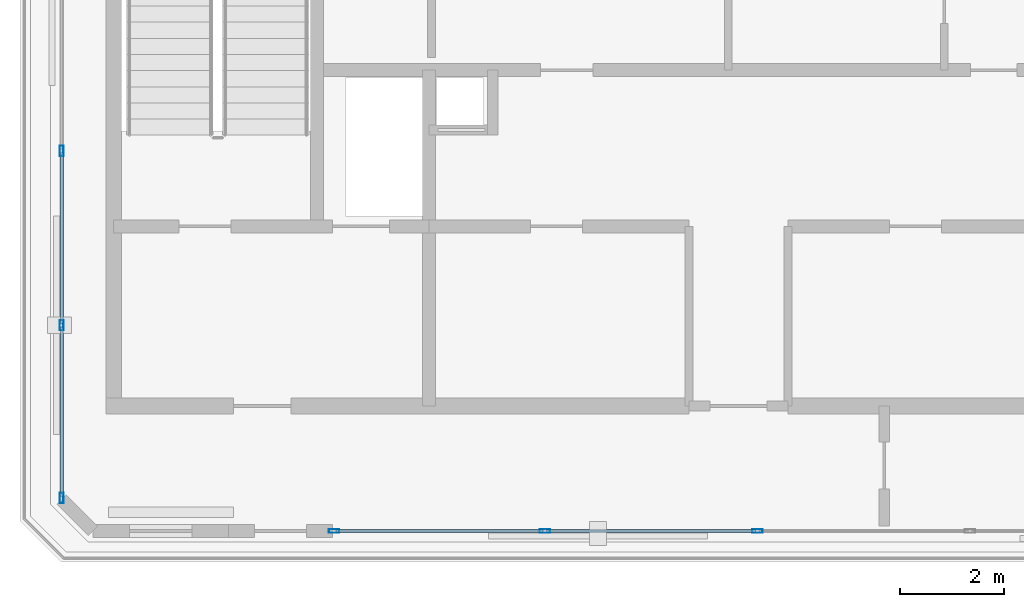
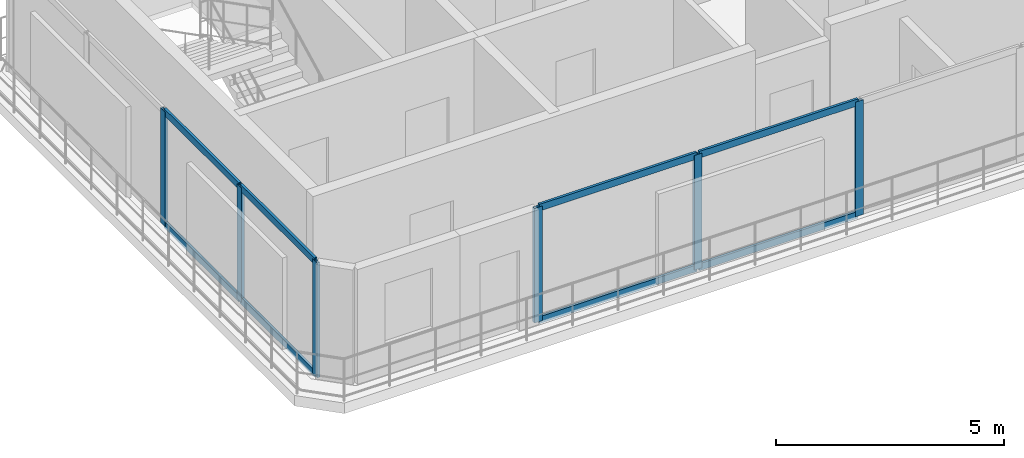
# One storey, part 1 of 7: 14 members, 2 elements without a shape of their own.
"""IFC4 building model written with IfcOpenShell, lengths in metres."""

from ifc_helpers import new_model, si_unit, direction, frame, origin, origin_2d, place, context, subcontext, project, spatial, hollow_rectangle, extrude, material, layer, layer_set, material_profile, profile_set, type_object, element, aggregate, save


model = new_model("IFC4")

# Units and contexts
model_context = context("Model", 3, precision=1e-05, world=origin(), true_north=direction((0.0, 1.0)))
body_context = subcontext(model_context, "Body", "Model", "MODEL_VIEW")
ifc_project = project(units=[si_unit("LENGTHUNIT", "METRE"), si_unit("AREAUNIT", "SQUARE_METRE"), si_unit("VOLUMEUNIT", "CUBIC_METRE"), si_unit("PLANEANGLEUNIT", "RADIAN"), si_unit("MASSUNIT", "GRAM", prefix="KILO")], contexts=[model_context])

# Site, building, storey
site_placement = place(None, origin())
site = spatial("IfcSite", under=ifc_project, at=site_placement, CompositionType="ELEMENT")
building_placement = place(site_placement, origin())
building = spatial("IfcBuilding", under=site, at=building_placement, Name="Catumbela Crestline Tower", CompositionType="ELEMENT")
storey_placement = place(building_placement, frame((0.0, 0.0, 315.0)))
storey = spatial("IfcBuildingStorey", under=building, at=storey_placement, Name="L81", CompositionType="ELEMENT", Elevation=315.0)

# Curtain wall, members
ifc_material = material(Name="Aluminium alloy AW-6060-T66", Category="aluminium")
ifc_layer = layer(ifc_material, 0.18, Name="Aluminium alloy AW-6060-T66")
ifc_layer_set = layer_set([ifc_layer], Name="Aluminium alloy AW-6060-T66")
curtain_wall_type = type_object("IfcCurtainWallType", Name="CWS-OBS", PredefinedType="USERDEFINED", material=ifc_layer_set)
curtain_wall_1_placement = place(storey_placement, origin())
curtain_wall_1 = element("IfcCurtainWall", 1, at=curtain_wall_1_placement, inside=storey, type_object=curtain_wall_type, Name="L81 Stick Curtain Wall CW-L81-E0S2", ObjectType="STICK", PredefinedType="USERDEFINED")
ifc_material_profile_1 = material_profile(ifc_material, hollow_rectangle(XDim=0.075, YDim=0.2, WallThickness=0.005, at=origin_2d()), Name="ALU 200x75x5")
ifc_profile_set_1 = profile_set([ifc_material_profile_1], Name="Aluminium alloy AW-6060-T66")
member_type_1 = type_object("IfcMemberType", Name="MUL-200X75", PredefinedType="MULLION", material=ifc_profile_set_1)
member_1_placement = place(storey_placement, frame((20.2325, 28.4, 0.0), z_axis=(0.0, 0.0, 1.0), x_axis=(0.0, 1.0, 0.0)))
member_1 = element("IfcMember", 2, at=member_1_placement, type_object=member_type_1, Name="CWS-OBS mullion 1", PredefinedType="MULLION", context=body_context, shape_type="SweptSolid", body=[
    extrude(hollow_rectangle(XDim=0.075, YDim=0.2, WallThickness=0.005, at=origin_2d()), origin(), (0.0, 0.0, 1.0), 3.07),
])
member_2_placement = place(storey_placement, frame((24.28, 28.4, 0.0), z_axis=(0.0, 0.0, 1.0), x_axis=(0.0, 1.0, 0.0)))
member_2 = element("IfcMember", 3, at=member_2_placement, type_object=member_type_1, Name="CWS-OBS mullion 2", PredefinedType="MULLION", context=body_context, shape_type="SweptSolid", body=[
    extrude(hollow_rectangle(XDim=0.075, YDim=0.2, WallThickness=0.005, at=origin_2d()), origin(), (0.0, 0.0, 1.0), 3.07),
])
member_3_placement = place(storey_placement, frame((28.36, 28.4, 0.0), z_axis=(0.0, 0.0, 1.0), x_axis=(0.0, 1.0, 0.0)))
member_3 = element("IfcMember", 4, at=member_3_placement, type_object=member_type_1, Name="CWS-OBS mullion 3", PredefinedType="MULLION", context=body_context, shape_type="SweptSolid", body=[
    extrude(hollow_rectangle(XDim=0.075, YDim=0.2, WallThickness=0.005, at=origin_2d()), origin(), (0.0, 0.0, 1.0), 3.07),
])

curtain_wall_2_placement = place(storey_placement, origin())
curtain_wall_2 = element("IfcCurtainWall", 5, at=curtain_wall_2_placement, inside=storey, type_object=curtain_wall_type, Name="L81 Stick Curtain Wall CW-L81-E6S1", ObjectType="STICK", PredefinedType="USERDEFINED")
member_4_placement = place(storey_placement, frame((15.0, 35.7, 0.0), z_axis=(0.0, 0.0, 1.0), x_axis=(1.0, 0.0, 0.0)))
member_4 = element("IfcMember", 6, at=member_4_placement, type_object=member_type_1, Name="CWS-OBS mullion 3", PredefinedType="MULLION", context=body_context, shape_type="SweptSolid", body=[
    extrude(hollow_rectangle(XDim=0.075, YDim=0.2, WallThickness=0.005, at=origin_2d()), origin(), (0.0, 0.0, 1.0), 3.07),
])
member_5_placement = place(storey_placement, frame((15.0, 32.35, 0.0), z_axis=(0.0, 0.0, 1.0), x_axis=(1.0, 0.0, 0.0)))
member_5 = element("IfcMember", 7, at=member_5_placement, type_object=member_type_1, Name="CWS-OBS mullion 4", PredefinedType="MULLION", context=body_context, shape_type="SweptSolid", body=[
    extrude(hollow_rectangle(XDim=0.075, YDim=0.2, WallThickness=0.005, at=origin_2d()), origin(), (0.0, 0.0, 1.0), 3.07),
])
member_6_placement = place(storey_placement, frame((15.0, 29.0325, 0.0), z_axis=(0.0, 0.0, 1.0), x_axis=(1.0, 0.0, 0.0)))
member_6 = element("IfcMember", 8, at=member_6_placement, type_object=member_type_1, Name="CWS-OBS mullion 5", PredefinedType="MULLION", context=body_context, shape_type="SweptSolid", body=[
    extrude(hollow_rectangle(XDim=0.075, YDim=0.2, WallThickness=0.005, at=origin_2d()), origin(), (0.0, 0.0, 1.0), 3.07),
])

# Member
ifc_material_profile_2 = material_profile(ifc_material, hollow_rectangle(XDim=0.065, YDim=0.18, WallThickness=0.004, at=origin_2d()), Name="ALU 180x65x4")
ifc_profile_set_2 = profile_set([ifc_material_profile_2], Name="Aluminium alloy AW-6060-T66")
member_type_2 = type_object("IfcMemberType", Name="TRN-180X65", PredefinedType="USERDEFINED", material=ifc_profile_set_2)
member_7_placement = place(storey_placement, frame((20.265, 28.4, 0.03), z_axis=(1.0, 0.0, 0.0), x_axis=(0.0, 1.0, 0.0)))
member_7 = element("IfcMember", 9, at=member_7_placement, type_object=member_type_2, Name="CWS-OBS transom 1.1", ObjectType="TRANSOM", PredefinedType="USERDEFINED", context=body_context, shape_type="SweptSolid", body=[
    extrude(hollow_rectangle(XDim=0.065, YDim=0.18, WallThickness=0.004, at=origin_2d()), origin(), (0.0, 0.0, 1.0), 3.9825),
])

member_8_placement = place(storey_placement, frame((20.265, 28.4, 3.04), z_axis=(1.0, 0.0, 0.0), x_axis=(0.0, 1.0, 0.0)))
member_8 = element("IfcMember", 10, at=member_8_placement, type_object=member_type_2, Name="CWS-OBS transom 1.2", ObjectType="TRANSOM", PredefinedType="USERDEFINED", context=body_context, shape_type="SweptSolid", body=[
    extrude(hollow_rectangle(XDim=0.065, YDim=0.18, WallThickness=0.004, at=origin_2d()), origin(), (0.0, 0.0, 1.0), 3.9825),
])

member_9_placement = place(storey_placement, frame((24.3125, 28.4, 0.03), z_axis=(1.0, 0.0, 0.0), x_axis=(0.0, 1.0, 0.0)))
member_9 = element("IfcMember", 11, at=member_9_placement, type_object=member_type_2, Name="CWS-OBS transom 2.1", ObjectType="TRANSOM", PredefinedType="USERDEFINED", context=body_context, shape_type="SweptSolid", body=[
    extrude(hollow_rectangle(XDim=0.065, YDim=0.18, WallThickness=0.004, at=origin_2d()), origin(), (0.0, 0.0, 1.0), 4.015),
])

member_10_placement = place(storey_placement, frame((24.3125, 28.4, 3.04), z_axis=(1.0, 0.0, 0.0), x_axis=(0.0, 1.0, 0.0)))
member_10 = element("IfcMember", 12, at=member_10_placement, type_object=member_type_2, Name="CWS-OBS transom 2.2", ObjectType="TRANSOM", PredefinedType="USERDEFINED", context=body_context, shape_type="SweptSolid", body=[
    extrude(hollow_rectangle(XDim=0.065, YDim=0.18, WallThickness=0.004, at=origin_2d()), origin(), (0.0, 0.0, 1.0), 4.015),
])

aggregate(curtain_wall_1, [member_1, member_2, member_3, member_7, member_8, member_9, member_10])

member_11_placement = place(storey_placement, frame((15.0, 35.6675, 0.03), z_axis=(0.0, -1.0, 0.0), x_axis=(1.0, 0.0, 0.0)))
member_11 = element("IfcMember", 13, at=member_11_placement, type_object=member_type_2, Name="CWS-OBS transom 3.1", ObjectType="TRANSOM", PredefinedType="USERDEFINED", context=body_context, shape_type="SweptSolid", body=[
    extrude(hollow_rectangle(XDim=0.065, YDim=0.18, WallThickness=0.004, at=origin_2d()), origin(), (0.0, 0.0, 1.0), 3.285),
])

member_12_placement = place(storey_placement, frame((15.0, 35.6675, 3.04), z_axis=(0.0, -1.0, 0.0), x_axis=(1.0, 0.0, 0.0)))
member_12 = element("IfcMember", 14, at=member_12_placement, type_object=member_type_2, Name="CWS-OBS transom 3.2", ObjectType="TRANSOM", PredefinedType="USERDEFINED", context=body_context, shape_type="SweptSolid", body=[
    extrude(hollow_rectangle(XDim=0.065, YDim=0.18, WallThickness=0.004, at=origin_2d()), origin(), (0.0, 0.0, 1.0), 3.285),
])

member_13_placement = place(storey_placement, frame((15.0, 32.3175, 0.03), z_axis=(0.0, -1.0, 0.0), x_axis=(1.0, 0.0, 0.0)))
member_13 = element("IfcMember", 15, at=member_13_placement, type_object=member_type_2, Name="CWS-OBS transom 4.1", ObjectType="TRANSOM", PredefinedType="USERDEFINED", context=body_context, shape_type="SweptSolid", body=[
    extrude(hollow_rectangle(XDim=0.065, YDim=0.18, WallThickness=0.004, at=origin_2d()), origin(), (0.0, 0.0, 1.0), 3.2525),
])

member_14_placement = place(storey_placement, frame((15.0, 32.3175, 3.04), z_axis=(0.0, -1.0, 0.0), x_axis=(1.0, 0.0, 0.0)))
member_14 = element("IfcMember", 16, at=member_14_placement, type_object=member_type_2, Name="CWS-OBS transom 4.2", ObjectType="TRANSOM", PredefinedType="USERDEFINED", context=body_context, shape_type="SweptSolid", body=[
    extrude(hollow_rectangle(XDim=0.065, YDim=0.18, WallThickness=0.004, at=origin_2d()), origin(), (0.0, 0.0, 1.0), 3.2525),
])

aggregate(curtain_wall_2, [member_4, member_5, member_6, member_11, member_12, member_13, member_14])

save(model, "model.ifc")
